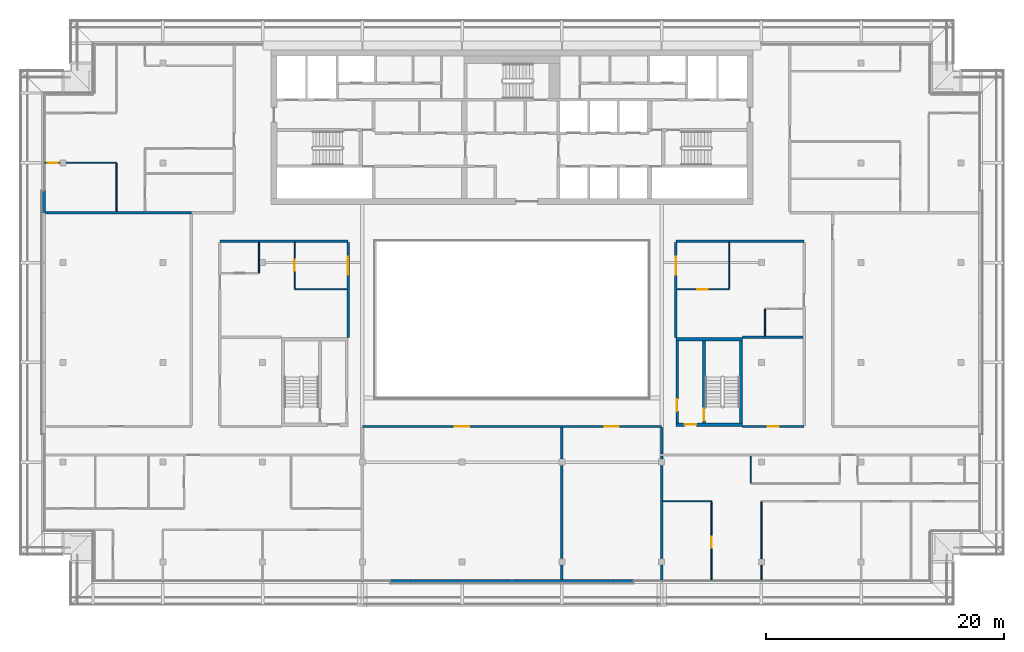
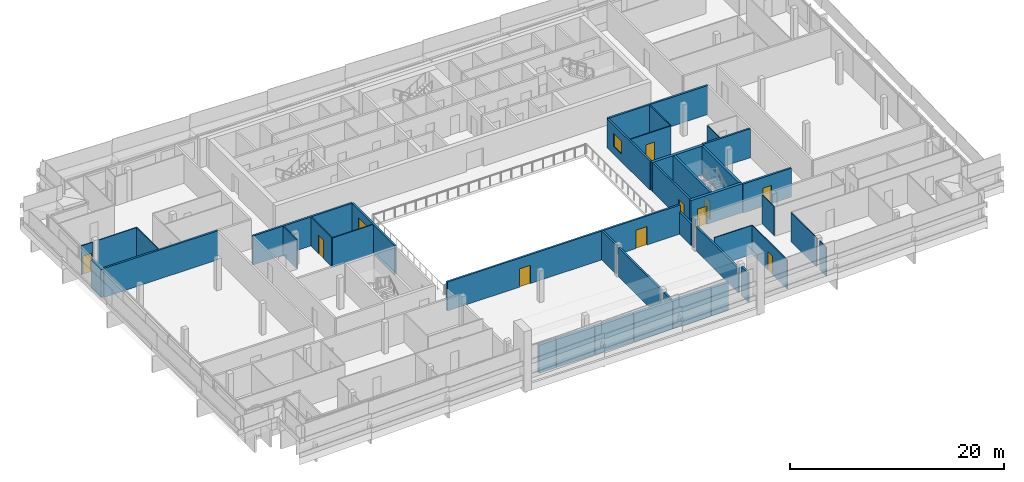
# One storey, part 18 of 33: 41 walls, 10 doors, 2 windows, 12 openings.
"""IFC4 building model written with IfcOpenShell, lengths in metres."""

from ifc_helpers import new_model, si_unit, direction, frame, frame_2d, origin, place, context, subcontext, project, spatial, rectangle, extrude, material, layer, layer_set, type_object, element, fill, save


model = new_model("IFC4")

# Units and contexts
model_context = context("Model", 3, precision=1e-05, world=origin(), true_north=direction((0.0, 1.0)))
body_context = subcontext(model_context, "Body", "Model", "MODEL_VIEW")
ifc_project = project(units=[si_unit("LENGTHUNIT", "METRE"), si_unit("AREAUNIT", "SQUARE_METRE"), si_unit("VOLUMEUNIT", "CUBIC_METRE"), si_unit("PLANEANGLEUNIT", "RADIAN"), si_unit("MASSUNIT", "GRAM", prefix="KILO")], contexts=[model_context])

# Site, building, storey
site_placement = place(None, origin())
site = spatial("IfcSite", under=ifc_project, at=site_placement, CompositionType="ELEMENT")
building_placement = place(site_placement, origin())
building = spatial("IfcBuilding", under=site, at=building_placement, Name="Saffron Gate Tower", CompositionType="ELEMENT")
storey_placement = place(building_placement, frame((0.0, 0.0, 263.550048828125)))
storey = spatial("IfcBuildingStorey", under=building, at=storey_placement, Name="L63", CompositionType="ELEMENT", Elevation=263.550048828125)

# Wall, opening, door
ifc_material_1 = material(Name="Gypsum board partition on steel studs", Category="steel")
ifc_layer_1 = layer(ifc_material_1, 0.199951171875)
ifc_layer_set_1 = layer_set([ifc_layer_1], Name="CW10 Core partition 200")
wall_type_1 = type_object("IfcWallType", Name="CW10 Core partition 200", PredefinedType="PARTITIONING", material=ifc_layer_set_1)
wall_1_placement = place(storey_placement, frame((101.5, 43.5, 0.0), z_axis=(0.0, 0.0, 1.0), x_axis=(0.0, 1.0, 0.0)))
wall_1 = element("IfcWall", 1, at=wall_1_placement, inside=storey, type_object=wall_type_1, Name="Wall CW10-L63-E-2", PredefinedType="PARTITIONING", context=body_context, shape_type="SweptSolid", body=[
    extrude(rectangle(XDim=6.89990234375, YDim=0.199951171875, at=frame_2d((3.449951171875, 0.0))), origin(), (0.0, 0.0, 1.0), 3.320068359375),
])
opening_1_placement = place(wall_1_placement, frame((1.0, 0.0, 0.0)))
opening_1 = element("IfcOpeningElement", 2, at=opening_1_placement, cuts=wall_1, Name="Opening CR-22", PredefinedType="OPENING", context=body_context, shape_type="SweptSolid", body=[
    extrude(rectangle(XDim=1.0, YDim=2.10009765625, at=frame_2d((0.5, 1.050048828125))), frame((0.0, 0.10986328125, 0.0), z_axis=(0.0, -1.0, 0.0), x_axis=(1.0, 0.0, 0.0)), (0.0, 0.0, 1.0), 0.219970703125),
])
ifc_material_2 = material(Name="Steel fire door set", Category="steel")
door_type_1 = type_object("IfcDoorType", Name="CD4 Lobby door 1000x2100 EI 120", OperationType="NOTDEFINED", PredefinedType="DOOR", material=ifc_material_2)
door_1_placement = place(opening_1_placement, origin())
door_1 = element("IfcDoor", 3, at=door_1_placement, inside=storey, type_object=door_type_1, Name="DOOR CR-22", OperationType="SINGLE_SWING_LEFT", OverallHeight=2.10009765625, OverallWidth=1.0, PredefinedType="DOOR", context=body_context, shape_type="SweptSolid", body=[
    extrude(rectangle(XDim=1.0, YDim=2.10009765625, at=frame_2d((0.5, 1.050048828125))), frame((0.0, 0.02490234375, 0.0), z_axis=(0.0, -1.0, 0.0), x_axis=(1.0, 0.0, 0.0)), (0.0, 0.0, 1.0), 0.050048828125),
])
fill(opening_1, door_1)

ifc_material_3 = material(Name="Concrete C50", Category="concrete")
ifc_layer_2 = layer(ifc_material_3, 0.25)
ifc_layer_set_2 = layer_set([ifc_layer_2], Name="CW23 RC core wall 250 C50")
wall_type_2 = type_object("IfcWallType", Name="CW23 RC core wall 250 C50", PredefinedType="SOLIDWALL", material=ifc_layer_set_2)
wall_2_placement = place(storey_placement, frame((103.77490234375, 43.5, 0.0), z_axis=(0.0, 0.0, 1.0), x_axis=(0.0, 1.0, 0.0)))
wall_2 = element("IfcWall", 4, at=wall_2_placement, inside=storey, type_object=wall_type_2, Name="Wall CW23-L63-E-3", PredefinedType="SOLIDWALL", context=body_context, shape_type="SweptSolid", body=[
    extrude(rectangle(XDim=6.89990234375, YDim=0.25, at=frame_2d((3.449951171875, 0.0))), origin(), (0.0, 0.0, 1.0), 3.320068359375),
])
opening_2_placement = place(wall_2_placement, frame((0.199951171875, 0.0, 0.0)))
opening_2 = element("IfcOpeningElement", 5, at=opening_2_placement, cuts=wall_2, Name="Opening CR-23", PredefinedType="OPENING", context=body_context, shape_type="SweptSolid", body=[
    extrude(rectangle(XDim=1.0, YDim=2.10009765625, at=frame_2d((0.5, 1.050048828125))), frame((0.0, 0.135009765625, 0.0), z_axis=(0.0, -1.0, 0.0), x_axis=(1.0, 0.0, 0.0)), (0.0, 0.0, 1.0), 0.27001953125),
])
door_type_2 = type_object("IfcDoorType", Name="CD5 Stair door 1000x2100 EI 120", OperationType="NOTDEFINED", PredefinedType="DOOR", material=ifc_material_2)
door_2_placement = place(opening_2_placement, origin())
door_2 = element("IfcDoor", 6, at=door_2_placement, inside=storey, type_object=door_type_2, Name="DOOR CR-23", OperationType="SINGLE_SWING_RIGHT", OverallHeight=2.10009765625, OverallWidth=1.0, PredefinedType="DOOR", context=body_context, shape_type="SweptSolid", body=[
    extrude(rectangle(XDim=1.0, YDim=2.10009765625, at=frame_2d((0.5, 1.050048828125))), frame((0.0, 0.02490234375, 0.0), z_axis=(0.0, -1.0, 0.0), x_axis=(1.0, 0.0, 0.0)), (0.0, 0.0, 1.0), 0.050048828125),
])
fill(opening_2, door_2)

# Wall
wall_3_placement = place(storey_placement, frame((106.875, 43.5, 0.0), z_axis=(0.0, 0.0, 1.0), x_axis=(0.0, 1.0, 0.0)))
element("IfcWall", 7, at=wall_3_placement, inside=storey, type_object=wall_type_2, Name="Wall CW23-L63-E-4", PredefinedType="SOLIDWALL", context=body_context, shape_type="SweptSolid", body=[
    extrude(rectangle(XDim=6.89990234375, YDim=0.25, at=frame_2d((3.449951171875, 0.0))), origin(), (0.0, 0.0, 1.0), 3.320068359375),
])

# Wall, opening, door
ifc_layer_3 = layer(ifc_material_3, 0.300048828125)
ifc_layer_set_3 = layer_set([ifc_layer_3], Name="CW26 RC core wall 300 C50")
wall_type_3 = type_object("IfcWallType", Name="CW26 RC core wall 300 C50", PredefinedType="SOLIDWALL", material=ifc_layer_set_3)
wall_4_placement = place(storey_placement, frame((101.39990234375, 43.35009765625, 0.0), z_axis=(0.0, 0.0, 1.0), x_axis=(1.0, 0.0, 0.0)))
wall_4 = element("IfcWall", 8, at=wall_4_placement, inside=storey, type_object=wall_type_3, Name="Wall CW26-L63-E-1", PredefinedType="SOLIDWALL", context=body_context, shape_type="SweptSolid", body=[
    extrude(rectangle(XDim=5.60009765625, YDim=0.300048828125, at=frame_2d((2.800048828125, 0.0))), origin(), (0.0, 0.0, 1.0), 3.320068359375),
])
opening_3_placement = place(wall_4_placement, frame((0.72509765625, 0.0, 0.0)))
opening_3 = element("IfcOpeningElement", 9, at=opening_3_placement, cuts=wall_4, Name="Opening CR-21", PredefinedType="OPENING", context=body_context, shape_type="SweptSolid", body=[
    extrude(rectangle(XDim=1.0, YDim=2.10009765625, at=frame_2d((0.5, 1.050048828125))), frame((0.0, 0.16015625, 0.0), z_axis=(0.0, -1.0, 0.0), x_axis=(1.0, 0.0, 0.0)), (0.0, 0.0, 1.0), 0.320068359375),
])
door_3_placement = place(opening_3_placement, origin())
door_3 = element("IfcDoor", 10, at=door_3_placement, inside=storey, type_object=door_type_1, Name="DOOR CR-21", OperationType="SINGLE_SWING_RIGHT", OverallHeight=2.10009765625, OverallWidth=1.0, PredefinedType="DOOR", context=body_context, shape_type="SweptSolid", body=[
    extrude(rectangle(XDim=1.0, YDim=2.10009765625, at=frame_2d((0.5, 1.050048828125))), frame((0.0, 0.02490234375, 0.0), z_axis=(0.0, -1.0, 0.0), x_axis=(1.0, 0.0, 0.0)), (0.0, 0.0, 1.0), 0.050048828125),
])
fill(opening_3, door_3)

# Walls
wall_5_placement = place(storey_placement, frame((101.39990234375, 50.550048828125, 0.0), z_axis=(0.0, 0.0, 1.0), x_axis=(1.0, 0.0, 0.0)))
element("IfcWall", 11, at=wall_5_placement, inside=storey, type_object=wall_type_3, Name="Wall CW26-L63-E-5", PredefinedType="SOLIDWALL", context=body_context, shape_type="SweptSolid", body=[
    extrude(rectangle(XDim=5.60009765625, YDim=0.300048828125, at=frame_2d((2.800048828125, 0.0))), origin(), (0.0, 0.0, 1.0), 3.320068359375),
])
ifc_material_4 = material(Name="Plasterboard on steel studs", Category="steel")
ifc_layer_4 = layer(ifc_material_4, 0.10009765625)
ifc_layer_set_4 = layer_set([ifc_layer_4], Name="PW1 Partition 100")
wall_type_4 = type_object("IfcWallType", Name="PW1 Partition 100", PredefinedType="PARTITIONING", material=ifc_layer_set_4)
wall_6_placement = place(storey_placement, frame((100.300048828125, 36.89990234375, 0.0), z_axis=(0.0, 0.0, 1.0), x_axis=(1.0, 0.0, 0.0)))
element("IfcWall", 12, at=wall_6_placement, inside=storey, type_object=wall_type_4, Name="Partition E1-5", PredefinedType="PARTITIONING", context=body_context, shape_type="SweptSolid", body=[
    extrude(rectangle(XDim=4.099853515625, YDim=0.10009765625, at=frame_2d((2.0498046875, 0.0))), origin(), (0.0, 0.0, 1.0), 3.320068359375),
])
wall_7_placement = place(storey_placement, frame((69.300048828125, 54.75, 0.0), z_axis=(0.0, 0.0, 1.0), x_axis=(1.0, 0.0, 0.0)))
element("IfcWall", 13, at=wall_7_placement, inside=storey, type_object=wall_type_4, Name="Partition E1-19", PredefinedType="PARTITIONING", context=body_context, shape_type="SweptSolid", body=[
    extrude(rectangle(XDim=4.39990234375, YDim=0.10009765625, at=frame_2d((2.199951171875, 0.0))), origin(), (0.0, 0.0, 1.0), 3.320068359375),
])

# Wall, opening, door
wall_8_placement = place(storey_placement, frame((101.5, 54.75, 0.0), z_axis=(0.0, 0.0, 1.0), x_axis=(1.0, 0.0, 0.0)))
wall_8 = element("IfcWall", 14, at=wall_8_placement, inside=storey, type_object=wall_type_4, Name="Partition E1-20", PredefinedType="PARTITIONING", context=body_context, shape_type="SweptSolid", body=[
    extrude(rectangle(XDim=4.39990234375, YDim=0.10009765625, at=frame_2d((2.199951171875, 0.0))), origin(), (0.0, 0.0, 1.0), 3.320068359375),
])
opening_4_placement = place(wall_8_placement, frame((1.699951171875, 0.0, 0.0)))
opening_4 = element("IfcOpeningElement", 15, at=opening_4_placement, cuts=wall_8, Name="Opening E1-25", PredefinedType="OPENING", context=body_context, shape_type="SweptSolid", body=[
    extrude(rectangle(XDim=0.89990234375, YDim=2.10009765625, at=frame_2d((0.449951171875, 1.050048828125))), frame((0.0, 0.06005859375, 0.0), z_axis=(0.0, -1.0, 0.0), x_axis=(1.0, 0.0, 0.0)), (0.0, 0.0, 1.0), 0.1201171875),
])
ifc_material_5 = material(Name="Timber door set", Category="wood")
door_type_3 = type_object("IfcDoorType", Name="RD1 Room door 900x2100", OperationType="NOTDEFINED", PredefinedType="DOOR", material=ifc_material_5)
door_4_placement = place(opening_4_placement, origin())
door_4 = element("IfcDoor", 16, at=door_4_placement, inside=storey, type_object=door_type_3, Name="Door E1-25", OperationType="SINGLE_SWING_LEFT", OverallHeight=2.10009765625, OverallWidth=0.89990234375, PredefinedType="DOOR", context=body_context, shape_type="SweptSolid", body=[
    extrude(rectangle(XDim=0.89990234375, YDim=2.10009765625, at=frame_2d((0.449951171875, 1.050048828125))), frame((0.0, 0.02490234375, 0.0), z_axis=(0.0, -1.0, 0.0), x_axis=(1.0, 0.0, 0.0)), (0.0, 0.0, 1.0), 0.050048828125),
])
fill(opening_4, door_4)

wall_9_placement = place(storey_placement, frame((49.530029296875, 65.39990234375, 0.0), z_axis=(0.0, 0.0, 1.0), x_axis=(-1.0, 0.0, 0.0)))
wall_9 = element("IfcWall", 17, at=wall_9_placement, inside=storey, type_object=wall_type_4, Name="Partition E1-30", PredefinedType="PARTITIONING", context=body_context, shape_type="SweptSolid", body=[
    extrude(rectangle(XDim=1.25, YDim=0.10009765625, at=frame_2d((0.625, 0.0))), origin(), (0.0, 0.0, 1.0), 3.320068359375),
])
opening_5_placement = place(wall_9_placement, frame((0.14990234375, 0.0, 0.0)))
opening_5 = element("IfcOpeningElement", 18, at=opening_5_placement, cuts=wall_9, Name="Opening E1-18", PredefinedType="OPENING", context=body_context, shape_type="SweptSolid", body=[
    extrude(rectangle(XDim=0.89990234375, YDim=2.10009765625, at=frame_2d((0.449951171875, 1.050048828125))), frame((0.0, 0.06005859375, 0.0), z_axis=(0.0, -1.0, 0.0), x_axis=(1.0, 0.0, 0.0)), (0.0, 0.0, 1.0), 0.1201171875),
])
door_5_placement = place(opening_5_placement, origin())
door_5 = element("IfcDoor", 19, at=door_5_placement, inside=storey, type_object=door_type_3, Name="Door E1-18", OperationType="SINGLE_SWING_LEFT", OverallHeight=2.10009765625, OverallWidth=0.89990234375, PredefinedType="DOOR", context=body_context, shape_type="SweptSolid", body=[
    extrude(rectangle(XDim=0.89990234375, YDim=2.10009765625, at=frame_2d((0.449951171875, 1.050048828125))), frame((0.0, 0.02490234375, 0.0), z_axis=(0.0, -1.0, 0.0), x_axis=(1.0, 0.0, 0.0)), (0.0, 0.0, 1.0), 0.050048828125),
])
fill(opening_5, door_5)

# Walls
wall_10_placement = place(storey_placement, frame((50.070068359375, 65.39990234375, 0.0), z_axis=(0.0, 0.0, 1.0), x_axis=(1.0, 0.0, 0.0)))
element("IfcWall", 20, at=wall_10_placement, inside=storey, type_object=wall_type_4, Name="Partition E1-31", PredefinedType="PARTITIONING", context=body_context, shape_type="SweptSolid", body=[
    extrude(rectangle(XDim=4.22998046875, YDim=0.10009765625, at=frame_2d((2.114990234375, 0.0))), origin(), (0.0, 0.0, 1.0), 3.320068359375),
])
wall_11_placement = place(storey_placement, frame((54.300048828125, 65.35009765625, 0.0), z_axis=(0.0, 0.0, 1.0), x_axis=(0.0, -1.0, 0.0)))
element("IfcWall", 21, at=wall_11_placement, inside=storey, type_object=wall_type_4, Name="Partition E1-41", PredefinedType="PARTITIONING", context=body_context, shape_type="SweptSolid", body=[
    extrude(rectangle(XDim=4.050048828125, YDim=0.10009765625, at=frame_2d((2.02490234375, 0.0))), origin(), (0.0, 0.0, 1.0), 3.320068359375),
])
wall_12_placement = place(storey_placement, frame((66.300048828125, 58.699951171875, 0.0), z_axis=(0.0, 0.0, 1.0), x_axis=(0.0, -1.0, 0.0)))
element("IfcWall", 22, at=wall_12_placement, inside=storey, type_object=wall_type_4, Name="Partition E1-52", PredefinedType="PARTITIONING", context=body_context, shape_type="SweptSolid", body=[
    extrude(rectangle(XDim=2.550048828125, YDim=0.10009765625, at=frame_2d((1.27490234375, 0.0))), origin(), (0.0, 0.0, 1.0), 3.320068359375),
])

# Wall, opening, door
wall_13_placement = place(storey_placement, frame((69.300048828125, 58.699951171875, 0.0), z_axis=(0.0, 0.0, 1.0), x_axis=(0.0, -1.0, 0.0)))
wall_13 = element("IfcWall", 23, at=wall_13_placement, inside=storey, type_object=wall_type_4, Name="Partition E1-56", PredefinedType="PARTITIONING", context=body_context, shape_type="SweptSolid", body=[
    extrude(rectangle(XDim=3.89990234375, YDim=0.10009765625, at=frame_2d((1.949951171875, 0.0))), origin(), (0.0, 0.0, 1.0), 3.320068359375),
])
opening_6_placement = place(wall_13_placement, frame((1.47509765625, 0.0, 0.0)))
opening_6 = element("IfcOpeningElement", 24, at=opening_6_placement, cuts=wall_13, Name="Opening E1-24", PredefinedType="OPENING", context=body_context, shape_type="SweptSolid", body=[
    extrude(rectangle(XDim=0.89990234375, YDim=2.10009765625, at=frame_2d((0.449951171875, 1.050048828125))), frame((0.0, 0.06005859375, 0.0), z_axis=(0.0, -1.0, 0.0), x_axis=(1.0, 0.0, 0.0)), (0.0, 0.0, 1.0), 0.1201171875),
])
door_6_placement = place(opening_6_placement, origin())
door_6 = element("IfcDoor", 25, at=door_6_placement, inside=storey, type_object=door_type_3, Name="Door E1-24", OperationType="SINGLE_SWING_LEFT", OverallHeight=2.10009765625, OverallWidth=0.89990234375, PredefinedType="DOOR", context=body_context, shape_type="SweptSolid", body=[
    extrude(rectangle(XDim=0.89990234375, YDim=2.10009765625, at=frame_2d((0.449951171875, 1.050048828125))), frame((0.0, 0.02490234375, 0.0), z_axis=(0.0, -1.0, 0.0), x_axis=(1.0, 0.0, 0.0)), (0.0, 0.0, 1.0), 0.050048828125),
])
fill(opening_6, door_6)

wall_14_placement = place(storey_placement, frame((104.39990234375, 30.280029296875, 0.0), z_axis=(0.0, 0.0, 1.0), x_axis=(0.0, 1.0, 0.0)))
wall_14 = element("IfcWall", 26, at=wall_14_placement, inside=storey, type_object=wall_type_4, Name="Partition E1-70", PredefinedType="PARTITIONING", context=body_context, shape_type="SweptSolid", body=[
    extrude(rectangle(XDim=6.570068359375, YDim=0.10009765625, at=frame_2d((3.28515625, 0.0))), origin(), (0.0, 0.0, 1.0), 3.320068359375),
])
opening_7_placement = place(wall_14_placement, frame((2.719970703125, 0.0, 0.0)))
opening_7 = element("IfcOpeningElement", 27, at=opening_7_placement, cuts=wall_14, Name="Opening E1-12", PredefinedType="OPENING", context=body_context, shape_type="SweptSolid", body=[
    extrude(rectangle(XDim=0.89990234375, YDim=2.10009765625, at=frame_2d((0.449951171875, 1.050048828125))), frame((0.0, 0.06005859375, 0.0), z_axis=(0.0, -1.0, 0.0), x_axis=(1.0, 0.0, 0.0)), (0.0, 0.0, 1.0), 0.1201171875),
])
door_7_placement = place(opening_7_placement, origin())
door_7 = element("IfcDoor", 28, at=door_7_placement, inside=storey, type_object=door_type_3, Name="Door E1-12", OperationType="SINGLE_SWING_LEFT", OverallHeight=2.10009765625, OverallWidth=0.89990234375, PredefinedType="DOOR", context=body_context, shape_type="SweptSolid", body=[
    extrude(rectangle(XDim=0.89990234375, YDim=2.10009765625, at=frame_2d((0.449951171875, 1.050048828125))), frame((0.0, 0.02490234375, 0.0), z_axis=(0.0, -1.0, 0.0), x_axis=(1.0, 0.0, 0.0)), (0.0, 0.0, 1.0), 0.050048828125),
])
fill(opening_7, door_7)

# Walls
wall_15_placement = place(storey_placement, frame((105.89990234375, 58.699951171875, 0.0), z_axis=(0.0, 0.0, 1.0), x_axis=(0.0, -1.0, 0.0)))
element("IfcWall", 29, at=wall_15_placement, inside=storey, type_object=wall_type_4, Name="Partition E1-71", PredefinedType="PARTITIONING", context=body_context, shape_type="SweptSolid", body=[
    extrude(rectangle(XDim=3.89990234375, YDim=0.10009765625, at=frame_2d((1.949951171875, 0.0))), origin(), (0.0, 0.0, 1.0), 3.320068359375),
])
wall_16_placement = place(storey_placement, frame((107.699951171875, 40.699951171875, 0.0), z_axis=(0.0, 0.0, 1.0), x_axis=(0.0, -1.0, 0.0)))
element("IfcWall", 30, at=wall_16_placement, inside=storey, type_object=wall_type_4, Name="Partition E1-72", PredefinedType="PARTITIONING", context=body_context, shape_type="SweptSolid", body=[
    extrude(rectangle(XDim=2.25, YDim=0.10009765625, at=frame_2d((1.125, 0.0))), origin(), (0.0, 0.0, 1.0), 3.320068359375),
])
wall_17_placement = place(storey_placement, frame((108.60009765625, 31.530029296875, 0.0), z_axis=(0.0, 0.0, 1.0), x_axis=(0.0, -1.0, 0.0)))
element("IfcWall", 31, at=wall_17_placement, inside=storey, type_object=wall_type_4, Name="Partition E1-73", PredefinedType="PARTITIONING", context=body_context, shape_type="SweptSolid", body=[
    extrude(rectangle(XDim=1.25, YDim=0.10009765625, at=frame_2d((0.625, 0.0))), origin(), (0.0, 0.0, 1.0), 3.320068359375),
])
wall_18_placement = place(storey_placement, frame((108.60009765625, 36.85009765625, 0.0), z_axis=(0.0, 0.0, 1.0), x_axis=(0.0, -1.0, 0.0)))
element("IfcWall", 32, at=wall_18_placement, inside=storey, type_object=wall_type_4, Name="Partition E1-74", PredefinedType="PARTITIONING", context=body_context, shape_type="SweptSolid", body=[
    extrude(rectangle(XDim=4.780029296875, YDim=0.10009765625, at=frame_2d((2.39013671875, 0.0))), origin(), (0.0, 0.0, 1.0), 3.320068359375),
])
wall_19_placement = place(storey_placement, frame((108.89990234375, 53.050048828125, 0.0), z_axis=(0.0, 0.0, 1.0), x_axis=(0.0, -1.0, 0.0)))
element("IfcWall", 33, at=wall_19_placement, inside=storey, type_object=wall_type_4, Name="Partition E1-75", PredefinedType="PARTITIONING", context=body_context, shape_type="SweptSolid", body=[
    extrude(rectangle(XDim=2.25, YDim=0.10009765625, at=frame_2d((1.125, 0.0))), origin(), (0.0, 0.0, 1.0), 3.320068359375),
])
ifc_material_6 = material(Name="Clay brick masonry, rendered", Category="masonry")
ifc_layer_5 = layer(ifc_material_6, 0.199951171875)
ifc_layer_set_5 = layer_set([ifc_layer_5], Name="PW2 Demising wall 200")
wall_type_5 = type_object("IfcWallType", Name="PW2 Demising wall 200", PredefinedType="PARTITIONING", material=ifc_layer_set_5)
wall_20_placement = place(storey_placement, frame((107.0, 50.699951171875, 0.0), z_axis=(0.0, 0.0, 1.0), x_axis=(1.0, 0.0, 0.0)))
element("IfcWall", 34, at=wall_20_placement, inside=storey, type_object=wall_type_5, Name="Wall E1-17", PredefinedType="PARTITIONING", context=body_context, shape_type="SweptSolid", body=[
    extrude(rectangle(XDim=5.10009765625, YDim=0.199951171875, at=frame_2d((2.550048828125, 0.0))), origin(), (0.0, 0.0, 1.0), 3.320068359375),
])

# Wall, openings, doors
ifc_layer_6 = layer(ifc_material_6, 0.199951171875)
ifc_layer_set_6 = layer_set([ifc_layer_6], Name="PW3 Corridor wall 200")
wall_type_6 = type_object("IfcWallType", Name="PW3 Corridor wall 200", PredefinedType="PARTITIONING", material=ifc_layer_set_6)
wall_21_placement = place(storey_placement, frame((100.199951171875, 43.199951171875, 0.0), z_axis=(0.0, 0.0, 1.0), x_axis=(-1.0, 0.0, 0.0)))
wall_21 = element("IfcWall", 35, at=wall_21_placement, inside=storey, type_object=wall_type_6, Name="Wall E1-13", PredefinedType="PARTITIONING", context=body_context, shape_type="SweptSolid", body=[
    extrude(rectangle(XDim=25.199951171875, YDim=0.199951171875, at=frame_2d((12.60009765625, 0.0))), origin(), (0.0, 0.0, 1.0), 3.320068359375),
])
opening_8_placement = place(wall_21_placement, frame((3.60009765625, 0.0, 0.0)))
opening_8 = element("IfcOpeningElement", 36, at=opening_8_placement, cuts=wall_21, Name="Opening E1-39", PredefinedType="OPENING", context=body_context, shape_type="SweptSolid", body=[
    extrude(rectangle(XDim=1.199951171875, YDim=2.10009765625, at=frame_2d((0.60009765625, 1.050048828125))), frame((0.0, 0.10986328125, 0.0), z_axis=(0.0, -1.0, 0.0), x_axis=(1.0, 0.0, 0.0)), (0.0, 0.0, 1.0), 0.219970703125),
])
opening_9_placement = place(wall_21_placement, frame((16.199951171875, 0.0, 0.0)))
opening_9 = element("IfcOpeningElement", 37, at=opening_9_placement, cuts=wall_21, Name="Opening E1-38", PredefinedType="OPENING", context=body_context, shape_type="SweptSolid", body=[
    extrude(rectangle(XDim=1.199951171875, YDim=2.10009765625, at=frame_2d((0.60009765625, 1.050048828125))), frame((0.0, 0.10986328125, 0.0), z_axis=(0.0, -1.0, 0.0), x_axis=(1.0, 0.0, 0.0)), (0.0, 0.0, 1.0), 0.219970703125),
])
door_type_4 = type_object("IfcDoorType", Name="HD1 Hall door 1200x2100", OperationType="NOTDEFINED", PredefinedType="DOOR", material=ifc_material_5)
door_8_placement = place(opening_8_placement, origin())
door_8 = element("IfcDoor", 38, at=door_8_placement, inside=storey, type_object=door_type_4, Name="Door E1-39", OperationType="SINGLE_SWING_RIGHT", OverallHeight=2.10009765625, OverallWidth=1.199951171875, PredefinedType="DOOR", context=body_context, shape_type="SweptSolid", body=[
    extrude(rectangle(XDim=1.199951171875, YDim=2.10009765625, at=frame_2d((0.60009765625, 1.050048828125))), frame((0.0, 0.02490234375, 0.0), z_axis=(0.0, -1.0, 0.0), x_axis=(1.0, 0.0, 0.0)), (0.0, 0.0, 1.0), 0.050048828125),
])
fill(opening_8, door_8)
door_9_placement = place(opening_9_placement, origin())
door_9 = element("IfcDoor", 39, at=door_9_placement, inside=storey, type_object=door_type_4, Name="Door E1-38", OperationType="SINGLE_SWING_LEFT", OverallHeight=2.10009765625, OverallWidth=1.199951171875, PredefinedType="DOOR", context=body_context, shape_type="SweptSolid", body=[
    extrude(rectangle(XDim=1.199951171875, YDim=2.10009765625, at=frame_2d((0.60009765625, 1.050048828125))), frame((0.0, 0.02490234375, 0.0), z_axis=(0.0, -1.0, 0.0), x_axis=(1.0, 0.0, 0.0)), (0.0, 0.0, 1.0), 0.050048828125),
])
fill(opening_9, door_9)

# Wall, opening, door
wall_22_placement = place(storey_placement, frame((107.0, 43.199951171875, 0.0), z_axis=(0.0, 0.0, 1.0), x_axis=(1.0, 0.0, 0.0)))
wall_22 = element("IfcWall", 40, at=wall_22_placement, inside=storey, type_object=wall_type_6, Name="Wall E1-14", PredefinedType="PARTITIONING", context=body_context, shape_type="SweptSolid", body=[
    extrude(rectangle(XDim=5.199951171875, YDim=0.199951171875, at=frame_2d((2.60009765625, 0.0))), origin(), (0.0, 0.0, 1.0), 3.320068359375),
])
opening_10_placement = place(wall_22_placement, frame((2.14990234375, 0.0, 0.0)))
opening_10 = element("IfcOpeningElement", 41, at=opening_10_placement, cuts=wall_22, Name="Opening E1-35", PredefinedType="OPENING", context=body_context, shape_type="SweptSolid", body=[
    extrude(rectangle(XDim=0.89990234375, YDim=2.10009765625, at=frame_2d((0.449951171875, 1.050048828125))), frame((0.0, 0.10986328125, 0.0), z_axis=(0.0, -1.0, 0.0), x_axis=(1.0, 0.0, 0.0)), (0.0, 0.0, 1.0), 0.219970703125),
])
door_type_5 = type_object("IfcDoorType", Name="SD1 Service door 900x2100", OperationType="NOTDEFINED", PredefinedType="DOOR", material=ifc_material_2)
door_10_placement = place(opening_10_placement, origin())
door_10 = element("IfcDoor", 42, at=door_10_placement, inside=storey, type_object=door_type_5, Name="Door E1-35", OperationType="SINGLE_SWING_LEFT", OverallHeight=2.10009765625, OverallWidth=0.89990234375, PredefinedType="DOOR", context=body_context, shape_type="SweptSolid", body=[
    extrude(rectangle(XDim=0.89990234375, YDim=2.10009765625, at=frame_2d((0.449951171875, 1.050048828125))), frame((0.0, 0.02490234375, 0.0), z_axis=(0.0, -1.0, 0.0), x_axis=(1.0, 0.0, 0.0)), (0.0, 0.0, 1.0), 0.050048828125),
])
fill(opening_10, door_10)

# Walls
for number, where, z_axis, x_axis, name in (
    (43, (63.0, 58.800048828125, 0.0), (0.0, 0.0, 1.0), (1.0, 0.0, 0.0), "Wall E1-22"),
    (44, (101.39990234375, 58.800048828125, 0.0), (0.0, 0.0, 1.0), (1.0, 0.0, 0.0), "Wall E1-23"),
):
    element("IfcWall", number, at=place(storey_placement, frame(where, z_axis=z_axis, x_axis=x_axis)), inside=storey, type_object=wall_type_6, Name=name, PredefinedType="PARTITIONING", context=body_context, shape_type="SweptSolid", body=[
        extrude(rectangle(XDim=10.800048828125, YDim=0.199951171875, at=frame_2d((5.39990234375, 0.0))), origin(), (0.0, 0.0, 1.0), 3.320068359375),
    ])

# Wall, opening, window
wall_23_placement = place(storey_placement, frame((73.800048828125, 58.699951171875, 0.0), z_axis=(0.0, 0.0, 1.0), x_axis=(0.0, -1.0, 0.0)))
wall_23 = element("IfcWall", 45, at=wall_23_placement, inside=storey, type_object=wall_type_6, Name="Wall E1-57", PredefinedType="PARTITIONING", context=body_context, shape_type="SweptSolid", body=[
    extrude(rectangle(XDim=8.0, YDim=0.199951171875, at=frame_2d((4.0, 0.0))), origin(), (0.0, 0.0, 1.0), 3.320068359375),
])
opening_11_placement = place(wall_23_placement, frame((1.22509765625, 0.0, 0.89990234375)))
opening_11 = element("IfcOpeningElement", 46, at=opening_11_placement, cuts=wall_23, Name="Opening GW1", PredefinedType="OPENING", context=body_context, shape_type="SweptSolid", body=[
    extrude(rectangle(XDim=1.5, YDim=1.5, at=frame_2d((0.75, 0.75))), frame((0.0, 0.10986328125, 0.0), z_axis=(0.0, -1.0, 0.0), x_axis=(1.0, 0.0, 0.0)), (0.0, 0.0, 1.0), 0.219970703125),
])
ifc_material_7 = material(Name="Fire-resisting laminated glass in steel frame", Category="steel")
ifc_layer_7 = layer(ifc_material_7, 0.06005859375)
ifc_layer_set_7 = layer_set([ifc_layer_7], Name="GW1 Gallery window 1500x1500")
window_type = type_object("IfcWindowType", Name="GW1 Gallery window 1500x1500", PartitioningType="SINGLE_PANEL", PredefinedType="WINDOW", material=ifc_layer_set_7)
window_1_placement = place(opening_11_placement, origin())
window_1 = element("IfcWindow", 47, at=window_1_placement, inside=storey, type_object=window_type, Name="GW1 window E1-H-B1", OverallHeight=1.5, OverallWidth=1.5, PartitioningType="SINGLE_PANEL", PredefinedType="WINDOW", context=body_context, shape_type="SweptSolid", body=[
    extrude(rectangle(XDim=1.5, YDim=1.5, at=frame_2d((0.75, 0.75))), frame((0.0, 0.030029296875, 0.0), z_axis=(0.0, -1.0, 0.0), x_axis=(1.0, 0.0, 0.0)), (0.0, 0.0, 1.0), 0.06005859375),
])
fill(opening_11, window_1)

# Wall
wall_24_placement = place(storey_placement, frame((100.199951171875, 43.10009765625, 0.0), z_axis=(0.0, 0.0, 1.0), x_axis=(0.0, -1.0, 0.0)))
element("IfcWall", 48, at=wall_24_placement, inside=storey, type_object=wall_type_6, Name="Wall E1-65", PredefinedType="PARTITIONING", context=body_context, shape_type="SweptSolid", body=[
    extrude(rectangle(XDim=2.2001953125, YDim=0.199951171875, at=frame_2d((1.10009765625, 0.0))), origin(), (0.0, 0.0, 1.0), 2.530029296875),
])

# Wall, opening, window
wall_25_placement = place(storey_placement, frame((101.39990234375, 58.699951171875, 0.0), z_axis=(0.0, 0.0, 1.0), x_axis=(0.0, -1.0, 0.0)))
wall_25 = element("IfcWall", 49, at=wall_25_placement, inside=storey, type_object=wall_type_6, Name="Wall E1-69", PredefinedType="PARTITIONING", context=body_context, shape_type="SweptSolid", body=[
    extrude(rectangle(XDim=8.0, YDim=0.199951171875, at=frame_2d((4.0, 0.0))), origin(), (0.0, 0.0, 1.0), 3.320068359375),
])
opening_12_placement = place(wall_25_placement, frame((1.22509765625, 0.0, 0.89990234375)))
opening_12 = element("IfcOpeningElement", 50, at=opening_12_placement, cuts=wall_25, Name="Opening GW1", PredefinedType="OPENING", context=body_context, shape_type="SweptSolid", body=[
    extrude(rectangle(XDim=1.5, YDim=1.5, at=frame_2d((0.75, 0.75))), frame((0.0, 0.10986328125, 0.0), z_axis=(0.0, -1.0, 0.0), x_axis=(1.0, 0.0, 0.0)), (0.0, 0.0, 1.0), 0.219970703125),
])
window_2_placement = place(opening_12_placement, origin())
window_2 = element("IfcWindow", 51, at=window_2_placement, inside=storey, type_object=window_type, Name="GW1 window E1-J-B1", OverallHeight=1.5, OverallWidth=1.5, PartitioningType="SINGLE_PANEL", PredefinedType="WINDOW", context=body_context, shape_type="SweptSolid", body=[
    extrude(rectangle(XDim=1.5, YDim=1.5, at=frame_2d((0.75, 0.75))), frame((0.0, 0.030029296875, 0.0), z_axis=(0.0, -1.0, 0.0), x_axis=(1.0, 0.0, 0.0)), (0.0, 0.0, 1.0), 0.06005859375),
])
fill(opening_12, window_2)

# Walls
ifc_layer_8 = layer(ifc_material_6, 0.199951171875)
ifc_layer_set_8 = layer_set([ifc_layer_8], Name="PW5 Room wall 200")
wall_type_7 = type_object("IfcWallType", Name="PW5 Room wall 200", PredefinedType="PARTITIONING", material=ifc_layer_set_8)
wall_26_placement = place(storey_placement, frame((48.280029296875, 61.199951171875, 0.0), z_axis=(0.0, 0.0, 1.0), x_axis=(1.0, 0.0, 0.0)))
element("IfcWall", 52, at=wall_26_placement, inside=storey, type_object=wall_type_7, Name="Wall E1-26", PredefinedType="PARTITIONING", context=body_context, shape_type="SweptSolid", body=[
    extrude(rectangle(XDim=12.320068359375, YDim=0.199951171875, at=frame_2d((6.16015625, 0.0))), origin(), (0.0, 0.0, 1.0), 3.320068359375),
])
wall_27_placement = place(storey_placement, frame((91.800048828125, 31.530029296875, 0.0), z_axis=(0.0, 0.0, 1.0), x_axis=(0.0, -1.0, 0.0)))
element("IfcWall", 53, at=wall_27_placement, inside=storey, type_object=wall_type_7, Name="Wall E1-62", PredefinedType="PARTITIONING", context=body_context, shape_type="SweptSolid", body=[
    extrude(rectangle(XDim=1.25, YDim=0.199951171875, at=frame_2d((0.625, 0.0))), origin(), (0.0, 0.0, 1.0), 3.320068359375),
])
wall_28_placement = place(storey_placement, frame((91.800048828125, 39.929931640625, 0.0), z_axis=(0.0, 0.0, 1.0), x_axis=(0.0, -1.0, 0.0)))
element("IfcWall", 54, at=wall_28_placement, inside=storey, type_object=wall_type_7, Name="Wall E1-63", PredefinedType="PARTITIONING", context=body_context, shape_type="SweptSolid", body=[
    extrude(rectangle(XDim=7.85986328125, YDim=0.199951171875, at=frame_2d((3.929931640625, 0.0))), origin(), (0.0, 0.0, 1.0), 3.320068359375),
])
wall_29_placement = place(storey_placement, frame((91.800048828125, 43.10009765625, 0.0), z_axis=(0.0, 0.0, 1.0), x_axis=(0.0, -1.0, 0.0)))
element("IfcWall", 55, at=wall_29_placement, inside=storey, type_object=wall_type_7, Name="Wall E1-64", PredefinedType="PARTITIONING", context=body_context, shape_type="SweptSolid", body=[
    extrude(rectangle(XDim=2.630126953125, YDim=0.199951171875, at=frame_2d((1.31494140625, 0.0))), origin(), (0.0, 0.0, 1.0), 3.320068359375),
])
wall_30_placement = place(storey_placement, frame((100.199951171875, 31.530029296875, 0.0), z_axis=(0.0, 0.0, 1.0), x_axis=(0.0, -1.0, 0.0)))
element("IfcWall", 56, at=wall_30_placement, inside=storey, type_object=wall_type_7, Name="Wall E1-66", PredefinedType="PARTITIONING", context=body_context, shape_type="SweptSolid", body=[
    extrude(rectangle(XDim=1.25, YDim=0.199951171875, at=frame_2d((0.625, 0.0))), origin(), (0.0, 0.0, 1.0), 3.320068359375),
])
wall_31_placement = place(storey_placement, frame((100.199951171875, 39.929931640625, 0.0), z_axis=(0.0, 0.0, 1.0), x_axis=(0.0, -1.0, 0.0)))
element("IfcWall", 57, at=wall_31_placement, inside=storey, type_object=wall_type_7, Name="Wall E1-67", PredefinedType="PARTITIONING", context=body_context, shape_type="SweptSolid", body=[
    extrude(rectangle(XDim=7.85986328125, YDim=0.199951171875, at=frame_2d((3.929931640625, 0.0))), origin(), (0.0, 0.0, 1.0), 2.77001953125),
])
wall_32_placement = place(storey_placement, frame((100.199951171875, 40.699951171875, 0.0), z_axis=(0.0, 0.0, 1.0), x_axis=(0.0, -1.0, 0.0)))
element("IfcWall", 58, at=wall_32_placement, inside=storey, type_object=wall_type_7, Name="Wall E1-68", PredefinedType="PARTITIONING", context=body_context, shape_type="SweptSolid", body=[
    extrude(rectangle(XDim=0.22998046875, YDim=0.199951171875, at=frame_2d((0.114990234375, 0.0))), origin(), (0.0, 0.0, 1.0), 3.320068359375),
])
ifc_material_8 = material(Name="Reinforced concrete C40/50 with mineral wool insulation", Category="concrete")
ifc_layer_9 = layer(ifc_material_8, 0.30810546875)
ifc_layer_set_9 = layer_set([ifc_layer_9], Name="WBAY3 arch bay insulated wall")
wall_type_8 = type_object("IfcWallType", Name="WBAY3 arch bay insulated wall", PredefinedType="SOLIDWALL", material=ifc_layer_set_9)
wall_33_placement = place(storey_placement, frame((79.169921875, 30.154052734375, 0.0), z_axis=(0.0, 0.0, 1.0), x_axis=(-1.0, 0.0, 0.0)))
element("IfcWall", 59, at=wall_33_placement, inside=storey, type_object=wall_type_8, Name="ARCH BAY wall", PredefinedType="SOLIDWALL", context=body_context, shape_type="SweptSolid", body=[
    extrude(rectangle(XDim=1.819091796875, YDim=0.30810546875, at=frame_2d((0.90966796875, 0.0))), origin(), (0.0, 0.0, 1.0), 3.199951171875),
])
for number, where, z_axis, x_axis, name in (
    (60, (83.3701171875, 30.154052734375, 0.0), (0.0, 0.0, 1.0), (-1.0, 0.0, 0.0), "ARCH BAY wall"),
    (61, (87.570068359375, 30.154052734375, 0.0), (0.0, 0.0, 1.0), (-1.0, 0.0, 0.0), "ARCH BAY wall"),
    (62, (91.77001953125, 30.154052734375, 0.0), (0.0, 0.0, 1.0), (-1.0, 0.0, 0.0), "ARCH BAY wall"),
):
    element("IfcWall", number, at=place(storey_placement, frame(where, z_axis=z_axis, x_axis=x_axis)), inside=storey, type_object=wall_type_8, Name=name, PredefinedType="SOLIDWALL", context=body_context, shape_type="SweptSolid", body=[
        extrude(rectangle(XDim=4.14013671875, YDim=0.30810546875, at=frame_2d((2.070068359375, 0.0))), origin(), (0.0, 0.0, 1.0), 3.199951171875),
    ])
wall_34_placement = place(storey_placement, frame((95.969970703125, 30.154052734375, 0.0), z_axis=(0.0, 0.0, 1.0), x_axis=(-1.0, 0.0, 0.0)))
element("IfcWall", 63, at=wall_34_placement, inside=storey, type_object=wall_type_8, Name="ARCH BAY wall", PredefinedType="SOLIDWALL", context=body_context, shape_type="SweptSolid", body=[
    extrude(rectangle(XDim=4.139892578125, YDim=0.30810546875, at=frame_2d((2.06982421875, 0.0))), origin(), (0.0, 0.0, 1.0), 3.199951171875),
])
wall_35_placement = place(storey_placement, frame((97.84912109375, 30.154052734375, 0.0), z_axis=(0.0, 0.0, 1.0), x_axis=(-1.0, 0.0, 0.0)))
element("IfcWall", 64, at=wall_35_placement, inside=storey, type_object=wall_type_8, Name="ARCH BAY wall", PredefinedType="SOLIDWALL", context=body_context, shape_type="SweptSolid", body=[
    extrude(rectangle(XDim=1.819091796875, YDim=0.30810546875, at=frame_2d((0.90966796875, 0.0))), origin(), (0.0, 0.0, 1.0), 3.199951171875),
])
wall_36_placement = place(storey_placement, frame((48.154052734375, 61.22998046875, 0.0), z_axis=(0.0, 0.0, 1.0), x_axis=(0.0, 1.0, 0.0)))
element("IfcWall", 65, at=wall_36_placement, inside=storey, type_object=wall_type_8, Name="ARCH BAY wall", PredefinedType="SOLIDWALL", context=body_context, shape_type="SweptSolid", body=[
    extrude(rectangle(XDim=1.8193359375, YDim=0.30810546875, at=frame_2d((0.90966796875, 0.0))), origin(), (0.0, 0.0, 1.0), 3.199951171875),
])

save(model, "model.ifc")
